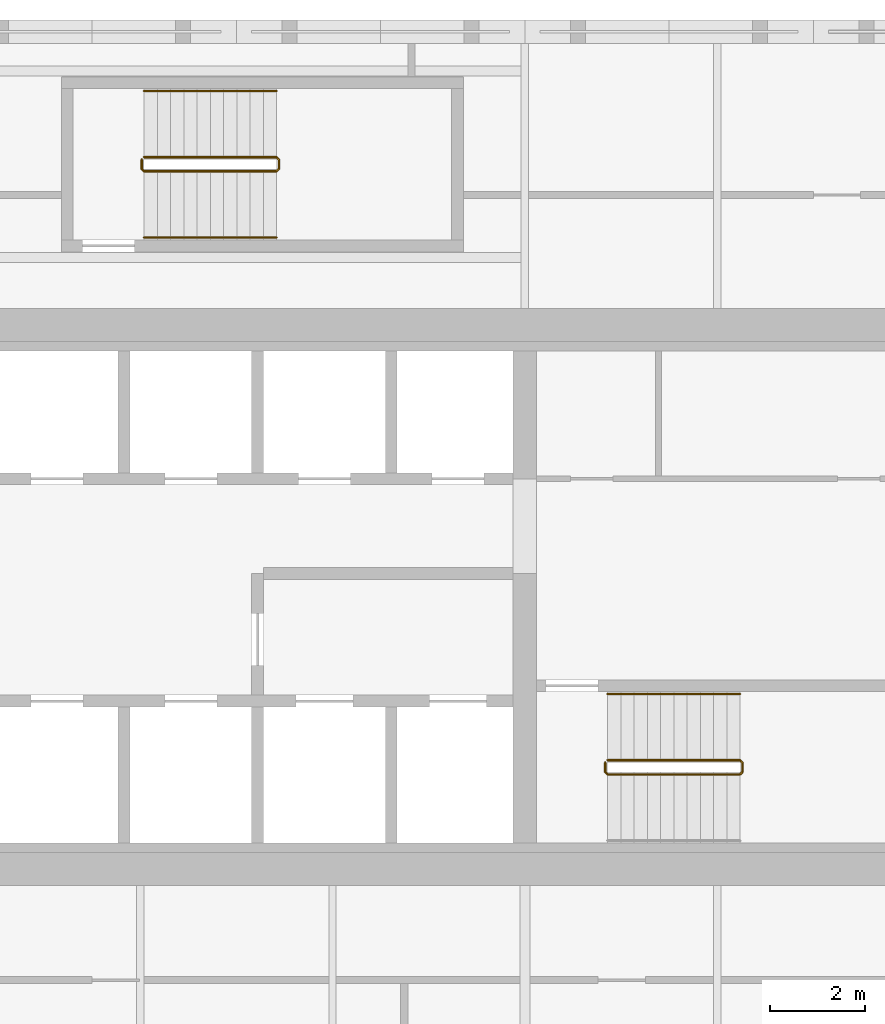
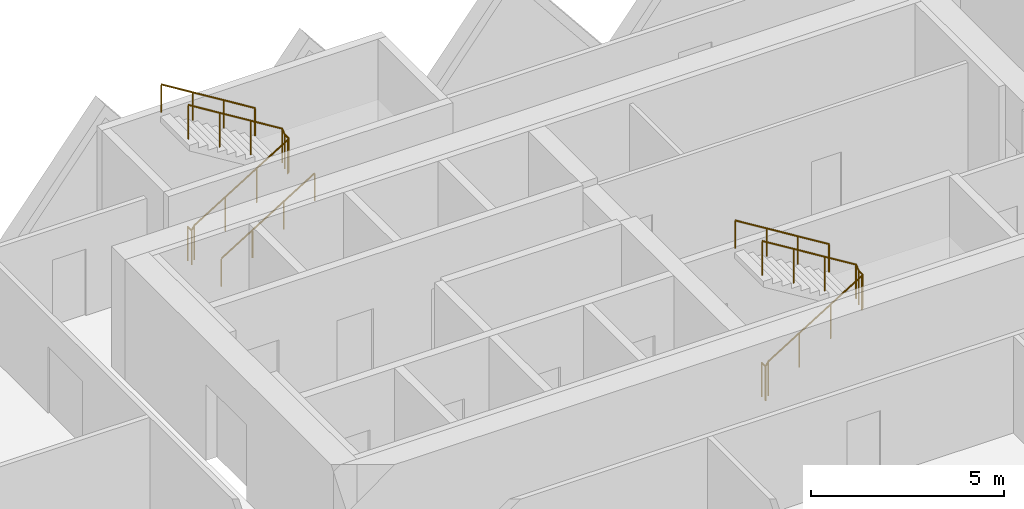
# One storey, part 19 of 20: 5 railings.
"""IFC4 building model written with IfcOpenShell, lengths in metres."""

from ifc_helpers import new_model, si_unit, direction, frame, origin, origin_2d, place, context, subcontext, project, spatial, circle, extrude, material, type_object, element, save


model = new_model("IFC4")

# Units and contexts
model_context = context("Model", 3, precision=1e-05, world=origin(), true_north=direction((0.0, 1.0)))
body_context = subcontext(model_context, "Body", "Model", "MODEL_VIEW")
ifc_project = project(units=[si_unit("LENGTHUNIT", "METRE"), si_unit("AREAUNIT", "SQUARE_METRE"), si_unit("VOLUMEUNIT", "CUBIC_METRE"), si_unit("PLANEANGLEUNIT", "RADIAN"), si_unit("MASSUNIT", "GRAM", prefix="KILO")], contexts=[model_context])

# Site, building, storey
site_placement = place(None, origin())
site = spatial("IfcSite", under=ifc_project, at=site_placement, CompositionType="ELEMENT")
building_placement = place(site_placement, origin())
building = spatial("IfcBuilding", under=site, at=building_placement, Name="Tessera Gate Towers", CompositionType="ELEMENT")
storey_placement = place(building_placement, frame((0.0, 0.0, 52.39990234375)))
storey = spatial("IfcBuildingStorey", under=building, at=storey_placement, Name="L12", CompositionType="ELEMENT", Elevation=52.39990234375)

# Railings
ifc_material_1 = material(Name="Steel 350W", Category="steel")
railing_type_1 = type_object("IfcRailingType", Name="STAIR GUARD 1100", PredefinedType="GUARDRAIL", material=ifc_material_1)
railing_1_placement = place(storey_placement, frame((111.5, 39.199951171875, 0.0)))
element("IfcRailing", 1, at=railing_1_placement, inside=storey, type_object=railing_type_1, Name="L12 ST6 stair guard 1", PredefinedType="GUARDRAIL", context=body_context, shape_type="SweptSolid", body=[
    extrude(circle(Radius=0.02392578125, at=origin_2d()), frame((0.0, 0.0, 1.076171875), z_axis=(0.0, -1.0, 0.0), x_axis=(1.0, 0.0, 0.0)), (0.0, 0.0, 1.0), 0.199951171875),
    extrude(circle(Radius=0.02392578125, at=origin_2d()), frame((0.0, -0.199951171875, 1.076171875), z_axis=(0.267953482034, -0.267953482034, 0.925419830635), x_axis=(0.707106781187, 0.707106781187, 0.0)), (0.0, 0.0, 1.0), 0.186767578125),
    extrude(circle(Radius=0.02392578125, at=origin_2d()), frame((0.050048828125, -0.25, 1.2490234375), z_axis=(0.851089632645, 0.0, 0.525020415988), x_axis=(0.0, 1.0, 0.0)), (0.0, 0.0, 1.0), 3.2900390625),
    extrude(circle(Radius=0.02392578125, at=origin_2d()), frame((2.85009765625, -0.25, 2.97607421875), z_axis=(0.705375805398, 0.708833529934, 0.0), x_axis=(-0.708833529934, 0.705375805398, 0.0)), (0.0, 0.0, 1.0), 0.070556640625),
    extrude(circle(Radius=0.02392578125, at=origin_2d()), frame((2.89990234375, -0.199951171875, 2.97607421875), z_axis=(0.0, 1.0, 0.0), x_axis=(-1.0, 0.0, 0.0)), (0.0, 0.0, 1.0), 0.199951171875),
    extrude(circle(Radius=0.02392578125, at=origin_2d()), frame((2.89990234375, 0.0, 2.97607421875), z_axis=(-0.267062837333, 0.268371968888, 0.925556009775), x_axis=(-0.708833529934, -0.705375805398, 0.0)), (0.0, 0.0, 1.0), 0.1865234375),
    extrude(circle(Radius=0.02392578125, at=origin_2d()), frame((2.85009765625, 0.050048828125, 3.14892578125), z_axis=(-0.851089632645, 0.0, 0.525020415988), x_axis=(0.0, -1.0, 0.0)), (0.0, 0.0, 1.0), 3.2900390625),
    extrude(circle(Radius=0.02099609375, at=origin_2d()), origin(), (0.0, 0.0, 1.0), 1.052001953125),
    extrude(circle(Radius=0.02099609375, at=origin_2d()), frame((0.0, -0.199951171875, 0.0)), (0.0, 0.0, 1.0), 1.052001953125),
    extrude(circle(Radius=0.02099609375, at=origin_2d()), frame((0.050048828125, -0.25, 0.1728515625)), (0.0, 0.0, 1.0), 1.052001953125),
    extrude(circle(Radius=0.02099609375, at=origin_2d()), frame((0.9833984375, -0.25, 0.74853515625)), (0.0, 0.0, 1.0), 1.052001953125),
    extrude(circle(Radius=0.02099609375, at=origin_2d()), frame((1.916748046875, -0.25, 1.324462890625)), (0.0, 0.0, 1.0), 1.052001953125),
    extrude(circle(Radius=0.02099609375, at=origin_2d()), frame((2.85009765625, -0.25, 1.900146484375)), (0.0, 0.0, 1.0), 1.052001953125),
    extrude(circle(Radius=0.02099609375, at=origin_2d()), frame((2.89990234375, -0.199951171875, 1.900146484375)), (0.0, 0.0, 1.0), 1.052001953125),
    extrude(circle(Radius=0.02099609375, at=origin_2d()), frame((2.89990234375, 0.0, 1.900146484375)), (0.0, 0.0, 1.0), 1.052001953125),
    extrude(circle(Radius=0.02099609375, at=origin_2d()), frame((2.85009765625, 0.050048828125, 2.07275390625)), (0.0, 0.0, 1.0), 1.052001953125),
    extrude(circle(Radius=0.02099609375, at=origin_2d()), frame((1.916748046875, 0.050048828125, 2.6484375)), (0.0, 0.0, 1.0), 1.052001953125),
    extrude(circle(Radius=0.02099609375, at=origin_2d()), frame((0.9833984375, 0.050048828125, 3.224365234375)), (0.0, 0.0, 1.0), 1.052001953125),
    extrude(circle(Radius=0.02099609375, at=origin_2d()), frame((0.050048828125, 0.050048828125, 3.800048828125)), (0.0, 0.0, 1.0), 1.052001953125),
])
railing_2_placement = place(storey_placement, frame((101.699951171875, 51.949951171875, 0.0)))
element("IfcRailing", 2, at=railing_2_placement, inside=storey, type_object=railing_type_1, Name="L12 ST7 stair guard 1", PredefinedType="GUARDRAIL", context=body_context, shape_type="SweptSolid", body=[
    extrude(circle(Radius=0.02392578125, at=origin_2d()), frame((0.0, 0.0, 1.076171875), z_axis=(0.0, -1.0, 0.0), x_axis=(1.0, 0.0, 0.0)), (0.0, 0.0, 1.0), 0.199951171875),
    extrude(circle(Radius=0.02392578125, at=origin_2d()), frame((0.0, -0.199951171875, 1.076171875), z_axis=(0.267953482034, -0.267953482034, 0.925419830635), x_axis=(0.707106781187, 0.707106781187, 0.0)), (0.0, 0.0, 1.0), 0.186767578125),
    extrude(circle(Radius=0.02392578125, at=origin_2d()), frame((0.050048828125, -0.25, 1.2490234375), z_axis=(0.851089632645, 0.0, 0.525020415988), x_axis=(0.0, 1.0, 0.0)), (0.0, 0.0, 1.0), 3.2900390625),
    extrude(circle(Radius=0.02392578125, at=origin_2d()), frame((2.85009765625, -0.25, 2.97607421875), z_axis=(0.707106781187, 0.707106781187, 0.0), x_axis=(-0.707106781187, 0.707106781187, 0.0)), (0.0, 0.0, 1.0), 0.07080078125),
    extrude(circle(Radius=0.02392578125, at=origin_2d()), frame((2.900146484375, -0.199951171875, 2.97607421875), z_axis=(0.0, 1.0, 0.0), x_axis=(-1.0, 0.0, 0.0)), (0.0, 0.0, 1.0), 0.199951171875),
    extrude(circle(Radius=0.02392578125, at=origin_2d()), frame((2.900146484375, 0.0, 2.97607421875), z_axis=(-0.268277960024, 0.268277960024, 0.925231793839), x_axis=(-0.707106781187, -0.707106781187, 0.0)), (0.0, 0.0, 1.0), 0.1865234375),
    extrude(circle(Radius=0.02392578125, at=origin_2d()), frame((2.85009765625, 0.050048828125, 3.14892578125), z_axis=(-0.851089632645, 0.0, 0.525020415988), x_axis=(0.0, -1.0, 0.0)), (0.0, 0.0, 1.0), 3.2900390625),
    extrude(circle(Radius=0.02099609375, at=origin_2d()), origin(), (0.0, 0.0, 1.0), 1.052001953125),
    extrude(circle(Radius=0.02099609375, at=origin_2d()), frame((0.0, -0.199951171875, 0.0)), (0.0, 0.0, 1.0), 1.052001953125),
    extrude(circle(Radius=0.02099609375, at=origin_2d()), frame((0.050048828125, -0.25, 0.1728515625)), (0.0, 0.0, 1.0), 1.052001953125),
    extrude(circle(Radius=0.02099609375, at=origin_2d()), frame((0.9833984375, -0.25, 0.74853515625)), (0.0, 0.0, 1.0), 1.052001953125),
    extrude(circle(Radius=0.02099609375, at=origin_2d()), frame((1.916748046875, -0.25, 1.324462890625)), (0.0, 0.0, 1.0), 1.052001953125),
    extrude(circle(Radius=0.02099609375, at=origin_2d()), frame((2.85009765625, -0.25, 1.900146484375)), (0.0, 0.0, 1.0), 1.052001953125),
    extrude(circle(Radius=0.02099609375, at=origin_2d()), frame((2.900146484375, -0.199951171875, 1.900146484375)), (0.0, 0.0, 1.0), 1.052001953125),
    extrude(circle(Radius=0.02099609375, at=origin_2d()), frame((2.900146484375, 0.0, 1.900146484375)), (0.0, 0.0, 1.0), 1.052001953125),
    extrude(circle(Radius=0.02099609375, at=origin_2d()), frame((2.85009765625, 0.050048828125, 2.07275390625)), (0.0, 0.0, 1.0), 1.052001953125),
    extrude(circle(Radius=0.02099609375, at=origin_2d()), frame((1.916748046875, 0.050048828125, 2.6484375)), (0.0, 0.0, 1.0), 1.052001953125),
    extrude(circle(Radius=0.02099609375, at=origin_2d()), frame((0.9833984375, 0.050048828125, 3.224365234375)), (0.0, 0.0, 1.0), 1.052001953125),
    extrude(circle(Radius=0.02099609375, at=origin_2d()), frame((0.050048828125, 0.050048828125, 3.800048828125)), (0.0, 0.0, 1.0), 1.052001953125),
])
ifc_material_2 = material(Name="Steel 350W", Category="steel")
railing_type_2 = type_object("IfcRailingType", Name="STAIR HANDRAIL 900", PredefinedType="HANDRAIL", material=ifc_material_2)
railing_3_placement = place(storey_placement, frame((114.35009765625, 40.64990234375, 2.07275390625)))
element("IfcRailing", 3, at=railing_3_placement, inside=storey, type_object=railing_type_2, Name="L12 ST6 stair handrail 2", PredefinedType="HANDRAIL", context=body_context, shape_type="SweptSolid", body=[
    extrude(circle(Radius=0.02392578125, at=origin_2d()), frame((0.0, 0.0, 0.8759765625), z_axis=(-0.851089632645, 0.0, 0.525020415988), x_axis=(0.0, -1.0, 0.0)), (0.0, 0.0, 1.0), 3.2900390625),
    extrude(circle(Radius=0.02099609375, at=origin_2d()), origin(), (0.0, 0.0, 1.0), 0.851806640625),
    extrude(circle(Radius=0.02099609375, at=origin_2d()), frame((-0.933349609375, 0.0, 0.57568359375)), (0.0, 0.0, 1.0), 0.851806640625),
    extrude(circle(Radius=0.02099609375, at=origin_2d()), frame((-1.86669921875, 0.0, 1.151611328125)), (0.0, 0.0, 1.0), 0.851806640625),
    extrude(circle(Radius=0.02099609375, at=origin_2d()), frame((-2.800048828125, 0.0, 1.727294921875)), (0.0, 0.0, 1.0), 0.851806640625),
])
railing_4_placement = place(storey_placement, frame((101.75, 50.300048828125, 0.1728515625)))
element("IfcRailing", 4, at=railing_4_placement, inside=storey, type_object=railing_type_2, Name="L12 ST7 stair handrail 1", PredefinedType="HANDRAIL", context=body_context, shape_type="SweptSolid", body=[
    extrude(circle(Radius=0.02392578125, at=origin_2d()), frame((0.0, 0.0, 0.8759765625), z_axis=(0.851089632645, 0.0, 0.525020415988), x_axis=(0.0, 1.0, 0.0)), (0.0, 0.0, 1.0), 3.2900390625),
    extrude(circle(Radius=0.02099609375, at=origin_2d()), origin(), (0.0, 0.0, 1.0), 0.851806640625),
    extrude(circle(Radius=0.02099609375, at=origin_2d()), frame((0.933349609375, 0.0, 0.57568359375)), (0.0, 0.0, 1.0), 0.851806640625),
    extrude(circle(Radius=0.02099609375, at=origin_2d()), frame((1.86669921875, 0.0, 1.151611328125)), (0.0, 0.0, 1.0), 0.851806640625),
    extrude(circle(Radius=0.02099609375, at=origin_2d()), frame((2.800048828125, 0.0, 1.727294921875)), (0.0, 0.0, 1.0), 0.851806640625),
])
railing_5_placement = place(storey_placement, frame((104.550048828125, 53.39990234375, 2.07275390625)))
element("IfcRailing", 5, at=railing_5_placement, inside=storey, type_object=railing_type_2, Name="L12 ST7 stair handrail 2", PredefinedType="HANDRAIL", context=body_context, shape_type="SweptSolid", body=[
    extrude(circle(Radius=0.02392578125, at=origin_2d()), frame((0.0, 0.0, 0.8759765625), z_axis=(-0.851089632645, 0.0, 0.525020415988), x_axis=(0.0, -1.0, 0.0)), (0.0, 0.0, 1.0), 3.2900390625),
    extrude(circle(Radius=0.02099609375, at=origin_2d()), origin(), (0.0, 0.0, 1.0), 0.851806640625),
    extrude(circle(Radius=0.02099609375, at=origin_2d()), frame((-0.933349609375, 0.0, 0.57568359375)), (0.0, 0.0, 1.0), 0.851806640625),
    extrude(circle(Radius=0.02099609375, at=origin_2d()), frame((-1.86669921875, 0.0, 1.151611328125)), (0.0, 0.0, 1.0), 0.851806640625),
    extrude(circle(Radius=0.02099609375, at=origin_2d()), frame((-2.800048828125, 0.0, 1.727294921875)), (0.0, 0.0, 1.0), 0.851806640625),
])

save(model, "model.ifc")
